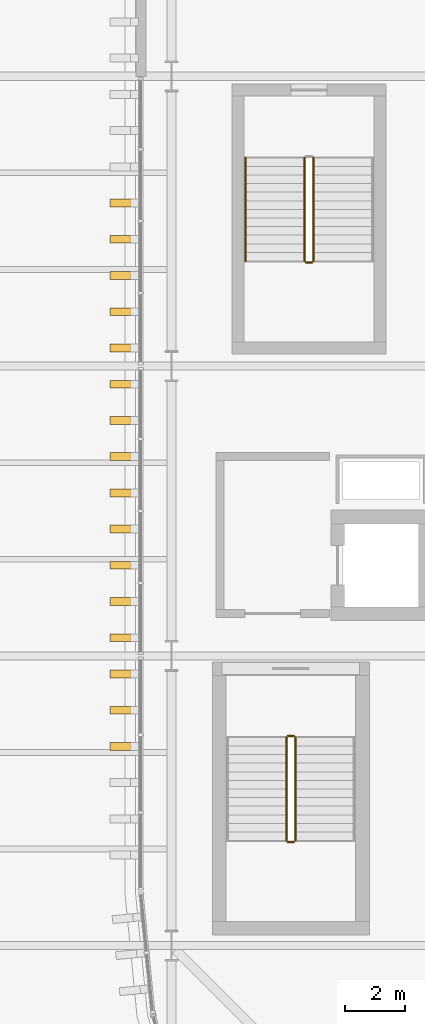
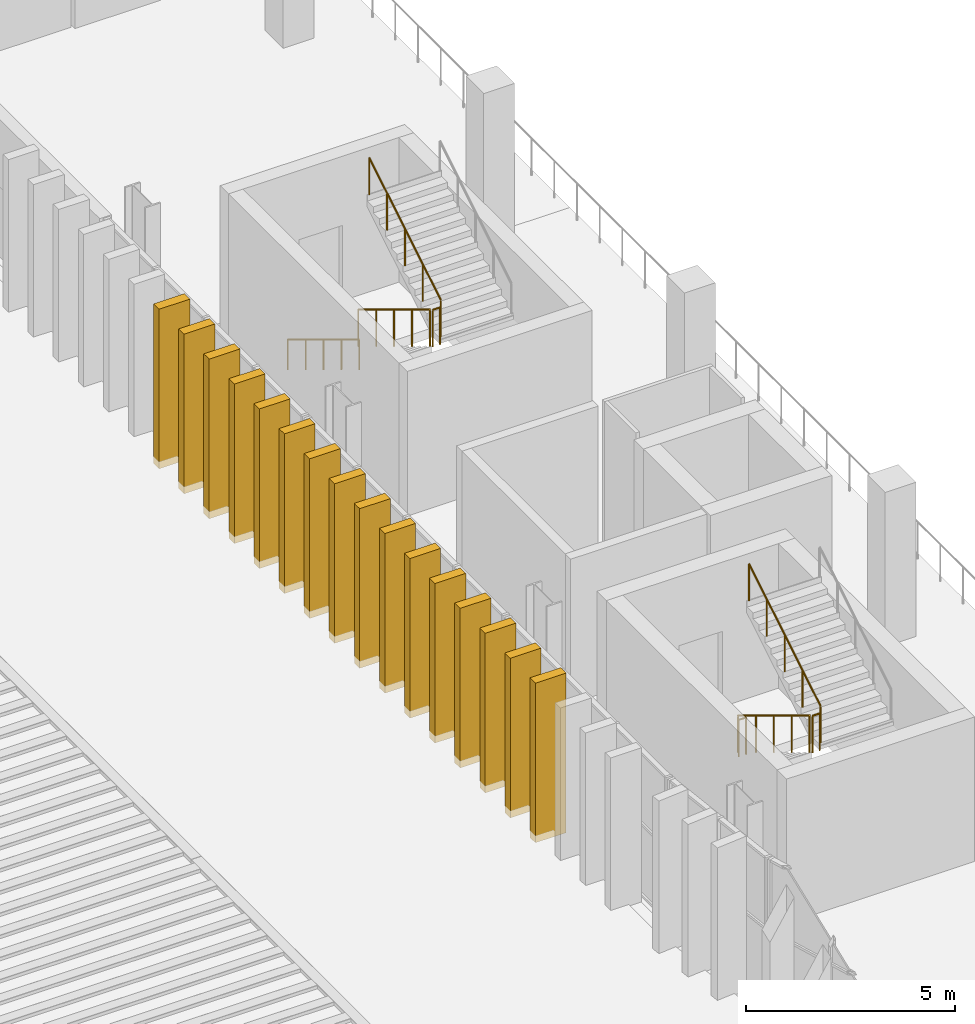
# One storey, part 75 of 92: 16 coverings, 8 railings.
"""IFC4 building model written with IfcOpenShell, lengths in metres."""

from ifc_helpers import new_model, si_unit, direction, frame, origin, origin_2d, place, context, subcontext, project, spatial, rectangle, circle, extrude, material, material_profile, profile_set, type_object, element, save


model = new_model("IFC4")

# Units and contexts
model_context = context("Model", 3, precision=1e-05, world=origin(), true_north=direction((0.0, 1.0)))
body_context = subcontext(model_context, "Body", "Model", "MODEL_VIEW")
ifc_project = project(units=[si_unit("LENGTHUNIT", "METRE"), si_unit("AREAUNIT", "SQUARE_METRE"), si_unit("VOLUMEUNIT", "CUBIC_METRE"), si_unit("PLANEANGLEUNIT", "RADIAN"), si_unit("MASSUNIT", "GRAM", prefix="KILO")], contexts=[model_context])

# Site, building, storey
site_placement = place(None, origin())
site = spatial("IfcSite", under=ifc_project, at=site_placement, CompositionType="ELEMENT")
building_placement = place(site_placement, origin())
building = spatial("IfcBuilding", under=site, at=building_placement, Name="Caelomonte Colonnade Arena", CompositionType="ELEMENT")
storey_placement = place(building_placement, frame((0.0, 0.0, 9.60009765625)))
storey = spatial("IfcBuildingStorey", under=building, at=storey_placement, Name="L02", CompositionType="ELEMENT", Elevation=9.60009765625)

# Coverings
ifc_material_1 = material(Name="Precast travertine cladding", Category="masonry")
ifc_material_profile = material_profile(ifc_material_1, rectangle(XDim=0.260009765625, YDim=0.85009765625, at=origin_2d()), Name="FIN260X850")
ifc_profile_set = profile_set([ifc_material_profile], Name="Precast travertine cladding")
covering_type = type_object("IfcCoveringType", Name="ENV-FN-SHAFT", PredefinedType="CLADDING", material=ifc_profile_set)
for number, where, z_axis, x_axis, name in (
    (1, (55.97900390625, 63.0, -0.16015625), (0.0, 0.0, 1.0), (0.0, 1.0, 0.0), "V1 L02 classical travertine vertical fin 196"),
    (2, (55.97900390625, 61.800048828125, -0.16015625), (0.0, 0.0, 1.0), (0.0, 1.0, 0.0), "V1 L02 classical travertine vertical fin 197"),
    (3, (55.97900390625, 60.60009765625, -0.16015625), (0.0, 0.0, 1.0), (0.0, 1.0, 0.0), "V1 L02 classical travertine vertical fin 198"),
    (4, (55.97900390625, 59.39990234375, -0.16015625), (0.0, 0.0, 1.0), (0.0, 1.0, 0.0), "V1 L02 classical travertine vertical fin 199"),
    (5, (55.97900390625, 58.199951171875, -0.16015625), (0.0, 0.0, 1.0), (0.0, 1.0, 0.0), "V1 L02 classical travertine vertical fin 200"),
    (6, (55.97900390625, 57.0, -0.16015625), (0.0, 0.0, 1.0), (0.0, 1.0, 0.0), "V1 L02 classical travertine vertical fin 201"),
    (7, (55.97900390625, 55.800048828125, -0.16015625), (0.0, 0.0, 1.0), (0.0, 1.0, 0.0), "V1 L02 classical travertine vertical fin 202"),
    (8, (55.97900390625, 54.60009765625, -0.16015625), (0.0, 0.0, 1.0), (0.0, 1.0, 0.0), "V1 L02 classical travertine vertical fin 203"),
    (9, (55.97900390625, 53.39990234375, -0.16015625), (0.0, 0.0, 1.0), (0.0, 1.0, 0.0), "V1 L02 classical travertine vertical fin 204"),
    (10, (55.97900390625, 52.199951171875, -0.16015625), (0.0, 0.0, 1.0), (0.0, 1.0, 0.0), "V1 L02 classical travertine vertical fin 205"),
    (11, (55.97900390625, 51.0, -0.16015625), (0.0, 0.0, 1.0), (0.0, 1.0, 0.0), "V1 L02 classical travertine vertical fin 206"),
    (12, (55.97900390625, 49.800048828125, -0.16015625), (0.0, 0.0, 1.0), (0.0, 1.0, 0.0), "V1 L02 classical travertine vertical fin 207"),
    (13, (55.97900390625, 48.60009765625, -0.16015625), (0.0, 0.0, 1.0), (0.0, 1.0, 0.0), "V1 L02 classical travertine vertical fin 208"),
    (14, (55.97900390625, 47.39990234375, -0.16015625), (0.0, 0.0, 1.0), (0.0, 1.0, 0.0), "V1 L02 classical travertine vertical fin 209"),
    (15, (55.97900390625, 46.199951171875, -0.16015625), (0.0, 0.0, 1.0), (0.0, 1.0, 0.0), "V1 L02 classical travertine vertical fin 210"),
    (16, (55.97900390625, 45.0, -0.16015625), (0.0, 0.0, 1.0), (0.0, 1.0, 0.0), "V1 L02 classical travertine vertical fin 211"),
):
    element("IfcCovering", number, at=place(storey_placement, frame(where, z_axis=z_axis, x_axis=x_axis)), inside=storey, type_object=covering_type, Name=name, PredefinedType="CLADDING", context=body_context, shape_type="SweptSolid", body=[
        extrude(rectangle(XDim=0.260009765625, YDim=0.85009765625, at=origin_2d()), origin(), (0.0, 0.0, 1.0), 4.66015625),
    ])

# Railings
ifc_material_2 = material(Name="Painted galvanized steel stair guard", Category="steel")
railing_type_1 = type_object("IfcRailingType", Name="INT-RL-GRD", PredefinedType="GUARDRAIL", material=ifc_material_2)
railing_1_placement = place(storey_placement, frame((61.39990234375, 45.300048828125, 0.173095703125)))
element("IfcRailing", 17, at=railing_1_placement, inside=storey, type_object=railing_type_1, Name="L02 ST-01 stair guard 1", PredefinedType="GUARDRAIL", context=body_context, shape_type="SweptSolid", body=[
    extrude(circle(Radius=0.02392578125, at=origin_2d()), frame((0.0, 0.0, 1.076171875), z_axis=(0.0, -0.854745945586, 0.519046595696), x_axis=(1.0, 0.0, 0.0)), (0.0, 0.0, 1.0), 4.00146484375),
    extrude(circle(Radius=0.02099609375, at=origin_2d()), origin(), (0.0, 0.0, 1.0), 1.048095703125),
    extrude(circle(Radius=0.02099609375, at=origin_2d()), frame((0.0, -0.85498046875, 0.519287109375)), (0.0, 0.0, 1.0), 1.048095703125),
    extrude(circle(Radius=0.02099609375, at=origin_2d()), frame((0.0, -1.7099609375, 1.03857421875)), (0.0, 0.0, 1.0), 1.048095703125),
    extrude(circle(Radius=0.02099609375, at=origin_2d()), frame((0.0, -2.565185546875, 1.5576171875)), (0.0, 0.0, 1.0), 1.048095703125),
    extrude(circle(Radius=0.02099609375, at=origin_2d()), frame((0.0, -3.420166015625, 2.076904296875)), (0.0, 0.0, 1.0), 1.048095703125),
])
railing_2_placement = place(storey_placement, frame((61.449951171875, 41.830078125, 2.25)))
element("IfcRailing", 18, at=railing_2_placement, inside=storey, type_object=railing_type_1, Name="L02 ST-01 stair guard 2", PredefinedType="GUARDRAIL", context=body_context, shape_type="SweptSolid", body=[
    extrude(circle(Radius=0.02392578125, at=origin_2d()), frame((0.0, 0.0, 1.076171875), z_axis=(1.0, 0.0, 0.0), x_axis=(0.0, 1.0, 0.0)), (0.0, 0.0, 1.0), 0.199951171875),
    extrude(circle(Radius=0.02099609375, at=origin_2d()), origin(), (0.0, 0.0, 1.0), 1.048095703125),
    extrude(circle(Radius=0.02099609375, at=origin_2d()), frame((0.199951171875, 0.0, 0.0)), (0.0, 0.0, 1.0), 1.048095703125),
])
railing_3_placement = place(storey_placement, frame((61.699951171875, 41.8798828125, 2.423095703125)))
element("IfcRailing", 19, at=railing_3_placement, inside=storey, type_object=railing_type_1, Name="L02 ST-01 stair guard 3", PredefinedType="GUARDRAIL", context=body_context, shape_type="SweptSolid", body=[
    extrude(circle(Radius=0.02392578125, at=origin_2d()), frame((0.0, 0.0, 1.076171875), z_axis=(0.0, 0.854745945586, 0.519046595696), x_axis=(-1.0, 0.0, 0.0)), (0.0, 0.0, 1.0), 4.00146484375),
    extrude(circle(Radius=0.02099609375, at=origin_2d()), origin(), (0.0, 0.0, 1.0), 1.048095703125),
    extrude(circle(Radius=0.02099609375, at=origin_2d()), frame((0.0, 0.85498046875, 0.519287109375)), (0.0, 0.0, 1.0), 1.048095703125),
    extrude(circle(Radius=0.02099609375, at=origin_2d()), frame((0.0, 1.7099609375, 1.03857421875)), (0.0, 0.0, 1.0), 1.048095703125),
    extrude(circle(Radius=0.02099609375, at=origin_2d()), frame((0.0, 2.565185546875, 1.5576171875)), (0.0, 0.0, 1.0), 1.048095703125),
    extrude(circle(Radius=0.02099609375, at=origin_2d()), frame((0.0, 3.420166015625, 2.076904296875)), (0.0, 0.0, 1.0), 1.048095703125),
])
railing_4_placement = place(storey_placement, frame((61.449951171875, 45.35009765625, 0.0)))
element("IfcRailing", 20, at=railing_4_placement, inside=storey, type_object=railing_type_1, Name="L02 ST-01 stair guard 4", PredefinedType="GUARDRAIL", context=body_context, shape_type="SweptSolid", body=[
    extrude(circle(Radius=0.02392578125, at=origin_2d()), frame((0.0, 0.0, 1.076171875), z_axis=(1.0, 0.0, 0.0), x_axis=(0.0, 1.0, 0.0)), (0.0, 0.0, 1.0), 0.199951171875),
    extrude(circle(Radius=0.02099609375, at=origin_2d()), origin(), (0.0, 0.0, 1.0), 1.048095703125),
    extrude(circle(Radius=0.02099609375, at=origin_2d()), frame((0.199951171875, 0.0, 0.0)), (0.0, 0.0, 1.0), 1.048095703125),
])
railing_5_placement = place(storey_placement, frame((62.0, 64.5, 0.173095703125)))
element("IfcRailing", 21, at=railing_5_placement, inside=storey, type_object=railing_type_1, Name="L02 ST-09 stair guard 1", PredefinedType="GUARDRAIL", context=body_context, shape_type="SweptSolid", body=[
    extrude(circle(Radius=0.02392578125, at=origin_2d()), frame((0.0, 0.0, 1.076171875), z_axis=(0.0, -0.854729506542, 0.519073665916), x_axis=(1.0, 0.0, 0.0)), (0.0, 0.0, 1.0), 4.001220703125),
    extrude(circle(Radius=0.02099609375, at=origin_2d()), origin(), (0.0, 0.0, 1.0), 1.048095703125),
    extrude(circle(Radius=0.02099609375, at=origin_2d()), frame((0.0, -0.85498046875, 0.519287109375)), (0.0, 0.0, 1.0), 1.048095703125),
    extrude(circle(Radius=0.02099609375, at=origin_2d()), frame((0.0, -1.7099609375, 1.03857421875)), (0.0, 0.0, 1.0), 1.048095703125),
    extrude(circle(Radius=0.02099609375, at=origin_2d()), frame((0.0, -2.56494140625, 1.5576171875)), (0.0, 0.0, 1.0), 1.048095703125),
    extrude(circle(Radius=0.02099609375, at=origin_2d()), frame((0.0, -3.419921875, 2.076904296875)), (0.0, 0.0, 1.0), 1.048095703125),
])
railing_6_placement = place(storey_placement, frame((62.050048828125, 61.030029296875, 2.25)))
element("IfcRailing", 22, at=railing_6_placement, inside=storey, type_object=railing_type_1, Name="L02 ST-09 stair guard 2", PredefinedType="GUARDRAIL", context=body_context, shape_type="SweptSolid", body=[
    extrude(circle(Radius=0.02392578125, at=origin_2d()), frame((0.0, 0.0, 1.076171875), z_axis=(1.0, 0.0, 0.0), x_axis=(0.0, 1.0, 0.0)), (0.0, 0.0, 1.0), 0.199951171875),
    extrude(circle(Radius=0.02099609375, at=origin_2d()), origin(), (0.0, 0.0, 1.0), 1.048095703125),
    extrude(circle(Radius=0.02099609375, at=origin_2d()), frame((0.199951171875, 0.0, 0.0)), (0.0, 0.0, 1.0), 1.048095703125),
])
railing_7_placement = place(storey_placement, frame((62.300048828125, 61.080078125, 2.423095703125)))
element("IfcRailing", 23, at=railing_7_placement, inside=storey, type_object=railing_type_1, Name="L02 ST-09 stair guard 3", PredefinedType="GUARDRAIL", context=body_context, shape_type="SweptSolid", body=[
    extrude(circle(Radius=0.02392578125, at=origin_2d()), frame((0.0, 0.0, 1.076171875), z_axis=(0.0, 0.854729506542, 0.519073665916), x_axis=(-1.0, 0.0, 0.0)), (0.0, 0.0, 1.0), 4.001220703125),
    extrude(circle(Radius=0.02099609375, at=origin_2d()), origin(), (0.0, 0.0, 1.0), 1.048095703125),
    extrude(circle(Radius=0.02099609375, at=origin_2d()), frame((0.0, 0.85498046875, 0.519287109375)), (0.0, 0.0, 1.0), 1.048095703125),
    extrude(circle(Radius=0.02099609375, at=origin_2d()), frame((0.0, 1.7099609375, 1.03857421875)), (0.0, 0.0, 1.0), 1.048095703125),
    extrude(circle(Radius=0.02099609375, at=origin_2d()), frame((0.0, 2.56494140625, 1.5576171875)), (0.0, 0.0, 1.0), 1.048095703125),
    extrude(circle(Radius=0.02099609375, at=origin_2d()), frame((0.0, 3.419921875, 2.076904296875)), (0.0, 0.0, 1.0), 1.048095703125),
])
ifc_material_3 = material(Name="Brushed stainless steel stair handrail", Category="steel")
railing_type_2 = type_object("IfcRailingType", Name="INT-RL-HR", PredefinedType="HANDRAIL", material=ifc_material_3)
railing_8_placement = place(storey_placement, frame((60.050048828125, 64.5, 0.173095703125)))
element("IfcRailing", 24, at=railing_8_placement, inside=storey, type_object=railing_type_2, Name="L02 ST-09 stair handrail 1", PredefinedType="HANDRAIL", context=body_context, shape_type="SweptSolid", body=[
    extrude(circle(Radius=0.02392578125, at=origin_2d()), frame((0.0, 0.0, 0.8759765625), z_axis=(0.0, -0.854729506542, 0.519073665916), x_axis=(1.0, 0.0, 0.0)), (0.0, 0.0, 1.0), 4.001220703125),
    extrude(circle(Radius=0.02099609375, at=origin_2d()), origin(), (0.0, 0.0, 1.0), 0.847900390625),
    extrude(circle(Radius=0.02099609375, at=origin_2d()), frame((0.0, -0.85498046875, 0.519287109375)), (0.0, 0.0, 1.0), 0.847900390625),
    extrude(circle(Radius=0.02099609375, at=origin_2d()), frame((0.0, -1.7099609375, 1.03857421875)), (0.0, 0.0, 1.0), 0.847900390625),
    extrude(circle(Radius=0.02099609375, at=origin_2d()), frame((0.0, -2.56494140625, 1.5576171875)), (0.0, 0.0, 1.0), 0.847900390625),
    extrude(circle(Radius=0.02099609375, at=origin_2d()), frame((0.0, -3.419921875, 2.076904296875)), (0.0, 0.0, 1.0), 0.847900390625),
])

save(model, "model.ifc")
